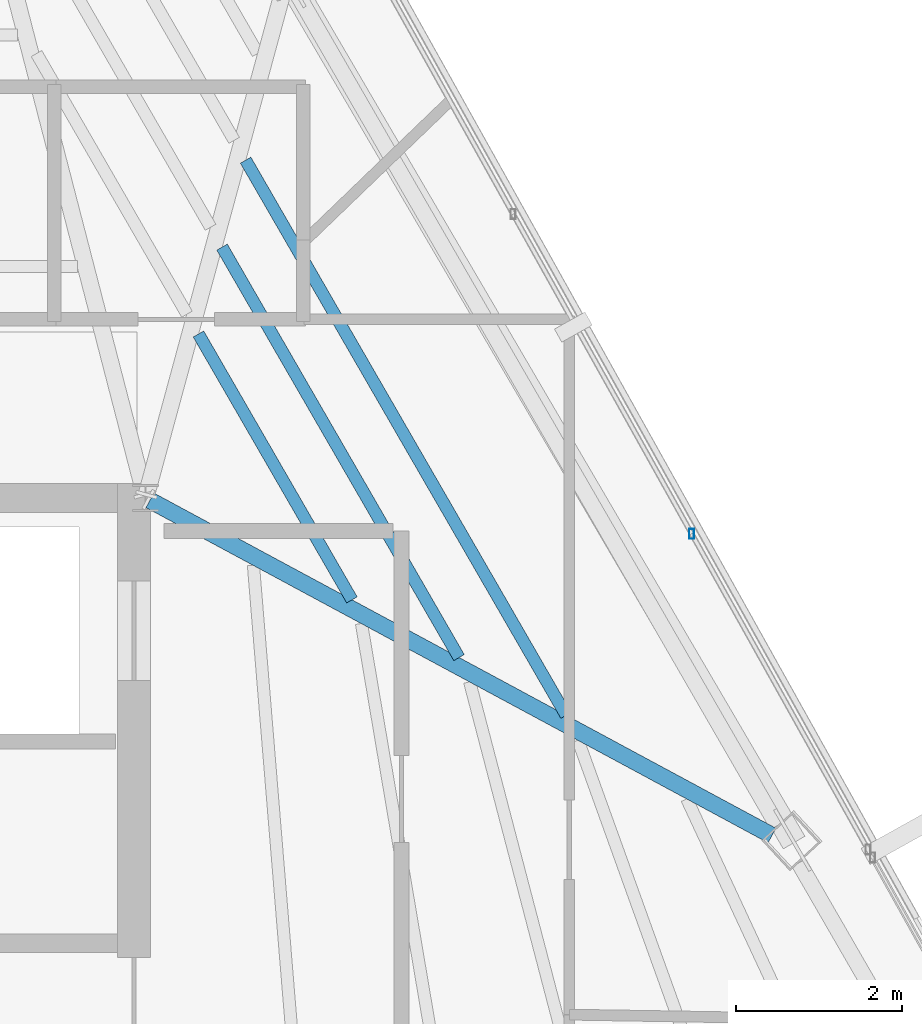
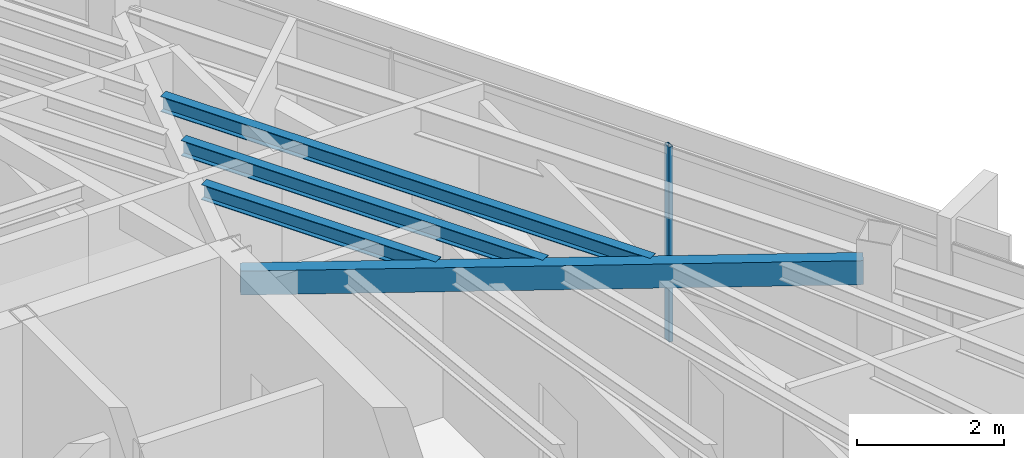
# One storey, part 28 of 44: 4 beams, 1 member, 1 element without a shape of its own.
"""IFC4 building model written with IfcOpenShell, lengths in metres."""

from ifc_helpers import new_model, si_unit, direction, frame, origin, origin_2d, place, context, subcontext, project, spatial, hollow_rectangle, i_section, extrude, source, transform, mapped, material, material_profile, profile_set, type_object, type_shapes, element, aggregate, save


model = new_model("IFC4")

# Units and contexts
model_context = context("Model", 3, precision=1e-05, world=origin(), true_north=direction((0.0, 1.0)))
body_context = subcontext(model_context, "Body", "Model", "MODEL_VIEW")
ifc_project = project(units=[si_unit("LENGTHUNIT", "METRE"), si_unit("AREAUNIT", "SQUARE_METRE"), si_unit("VOLUMEUNIT", "CUBIC_METRE"), si_unit("PLANEANGLEUNIT", "RADIAN"), si_unit("MASSUNIT", "GRAM", prefix="KILO")], contexts=[model_context])

# Site, building, storey
site_placement = place(None, origin())
site = spatial("IfcSite", under=ifc_project, at=site_placement, CompositionType="ELEMENT")
building_placement = place(site_placement, origin())
building = spatial("IfcBuilding", under=site, at=building_placement, Name="Caelisora Broadcast Tower", CompositionType="ELEMENT")
storey_placement = place(building_placement, frame((0.0, 0.0, 280.949951171875)))
storey = spatial("IfcBuildingStorey", under=building, at=storey_placement, Name="L74", CompositionType="ELEMENT", Elevation=280.949951171875)

# Beams
ifc_material_1 = material(Name="Steel Grade 350 (AS/NZS 1163 C350L0)", Category="steel")
ifc_material_profile_1 = material_profile(ifc_material_1, hollow_rectangle(XDim=0.199951171875, YDim=0.39990234375, WallThickness=0.012451171875, at=origin_2d()), Name="Steel Grade 350 (AS/NZS 1163 C350L0)")
ifc_profile_set_1 = profile_set([ifc_material_profile_1], Name="Steel Grade 350 (AS/NZS 1163 C350L0)")
beam_type_1 = type_object("IfcBeamType", Name="PG07", PredefinedType="BEAM", material=ifc_profile_set_1)
shared_shape_1 = source(origin(), body_context, "Body", "SweptSolid", [
    extrude(hollow_rectangle(XDim=0.199951171875, YDim=0.39990234375, WallThickness=0.012451171875, at=origin_2d()), origin(), (0.0, 0.0, 1.0), 8.50634765625),
])
type_shapes(beam_type_1, [shared_shape_1])
beam_1_placement = place(storey_placement, frame((45.552734375, 29.971435546875, 3.050048828125), z_axis=(0.880311615753, -0.474395888653, 0.0), x_axis=(0.474395888653, 0.880311615753, 0.0)))
element("IfcBeam", 1, at=beam_1_placement, inside=storey, type_object=beam_type_1, Name="L74 beam PG07", PredefinedType="BEAM", context=body_context, shape_type="MappedRepresentation", body=[
    mapped(shared_shape_1, transform((0.0, 0.0, 0.0), scale=1.0)),
])
ifc_material_2 = material(Name="Steel Grade 350 (AS/NZS 3679.1)", Category="steel")
ifc_material_profile_2 = material_profile(ifc_material_2, i_section(OverallWidth=0.14599609375, OverallDepth=0.256103515625, WebThickness=0.00634765625, FlangeThickness=0.010986328125, at=origin_2d()), Name="Steel Grade 350 (AS/NZS 3679.1)")
ifc_profile_set_2 = profile_set([ifc_material_profile_2], Name="Steel Grade 350 (AS/NZS 3679.1)")
beam_type_2 = type_object("IfcBeamType", Name="SB04", PredefinedType="JOIST", material=ifc_profile_set_2)
shared_shape_2 = source(origin(), body_context, "Body", "SweptSolid", [
    extrude(i_section(OverallWidth=0.14599609375, OverallDepth=0.256103515625, WebThickness=0.00634765625, FlangeThickness=0.010986328125, at=origin_2d()), origin(), (0.0, 0.0, 1.0), 3.695556640625),
])
beam_2_placement = place(storey_placement, frame((47.984619140625, 28.772705078125, 3.1220703125), z_axis=(-0.499975984768, 0.866039268541, 0.0), x_axis=(-0.866039268541, -0.499975984768, 0.0)))
element("IfcBeam", 2, at=beam_2_placement, inside=storey, type_object=beam_type_2, Name="L74 beam SB04", PredefinedType="JOIST", context=body_context, shape_type="MappedRepresentation", body=[
    mapped(shared_shape_2, transform((0.0, 0.0, 0.0), scale=1.0)),
])
shared_shape_3 = source(origin(), body_context, "Body", "SweptSolid", [
    extrude(i_section(OverallWidth=0.14599609375, OverallDepth=0.256103515625, WebThickness=0.00634765625, FlangeThickness=0.010986328125, at=origin_2d()), origin(), (0.0, 0.0, 1.0), 5.70556640625),
])
beam_3_placement = place(storey_placement, frame((49.273681640625, 28.078125, 3.1220703125), z_axis=(-0.50000025359, 0.866025257374, 0.0), x_axis=(-0.866025257374, -0.50000025359, 0.0)))
element("IfcBeam", 3, at=beam_3_placement, inside=storey, type_object=beam_type_2, Name="L74 beam SB04", PredefinedType="JOIST", context=body_context, shape_type="MappedRepresentation", body=[
    mapped(shared_shape_3, transform((0.0, 0.0, 0.0), scale=1.0)),
])
shared_shape_4 = source(origin(), body_context, "Body", "SweptSolid", [
    extrude(i_section(OverallWidth=0.14599609375, OverallDepth=0.256103515625, WebThickness=0.00634765625, FlangeThickness=0.010986328125, at=origin_2d()), origin(), (0.0, 0.0, 1.0), 7.71630859375),
])
type_shapes(beam_type_2, [shared_shape_2, shared_shape_3, shared_shape_4])
beam_4_placement = place(storey_placement, frame((50.562744140625, 27.38330078125, 3.1220703125), z_axis=(-0.499994505012, 0.866028576294, 0.0), x_axis=(-0.866028576294, -0.499994505012, 0.0)))
element("IfcBeam", 4, at=beam_4_placement, inside=storey, type_object=beam_type_2, Name="L74 beam SB04", PredefinedType="JOIST", context=body_context, shape_type="MappedRepresentation", body=[
    mapped(shared_shape_4, transform((0.0, 0.0, 0.0), scale=1.0)),
])

# Curtain wall, member
ifc_material_3 = material(Name="Unitised Aluminium Insulated Shadow-Box Spandrel Curtain Wall", Category="aluminium")
curtain_wall_type = type_object("IfcCurtainWallType", Name="CW-SP3", PredefinedType="NOTDEFINED", material=ifc_material_3)
curtain_wall_placement = place(storey_placement, origin())
curtain_wall = element("IfcCurtainWall", 5, at=curtain_wall_placement, inside=storey, type_object=curtain_wall_type, Name="L74 curtain wall CW-SP3", PredefinedType="NOTDEFINED")
ifc_material_4 = material(Name="Aluminium 6063-T6 Anodised Terracotta Bronze", Category="aluminium")
ifc_material_profile_3 = material_profile(ifc_material_4, hollow_rectangle(XDim=0.06005859375, YDim=0.1201171875, WallThickness=0.0029296875, at=origin_2d()), Name="Aluminium 6063-T6 Anodised Terracotta Bronze")
ifc_profile_set_3 = profile_set([ifc_material_profile_3], Name="Aluminium 6063-T6 Anodised Terracotta Bronze")
member_type = type_object("IfcMemberType", Name="CWM-04", PredefinedType="MULLION", material=ifc_profile_set_3)
shared_shape_5 = source(origin(), body_context, "Body", "SweptSolid", [
    extrude(hollow_rectangle(XDim=0.06005859375, YDim=0.1201171875, WallThickness=0.0029296875, at=origin_2d()), origin(), (0.0, 0.0, 1.0), 3.25),
])
type_shapes(member_type, [shared_shape_5])
member_placement = place(storey_placement, frame((52.07373046875, 29.568359375, 0.0), z_axis=(0.0, 0.0, 1.0), x_axis=(1.0, 0.0, 0.0)))
member = element("IfcMember", 6, at=member_placement, type_object=member_type, Name="L74-CW-B02 mullion #2", PredefinedType="MULLION", context=body_context, shape_type="MappedRepresentation", body=[
    mapped(shared_shape_5, transform((0.0, 0.0, 0.0), scale=1.0)),
])
aggregate(curtain_wall, [member])

save(model, "model.ifc")
